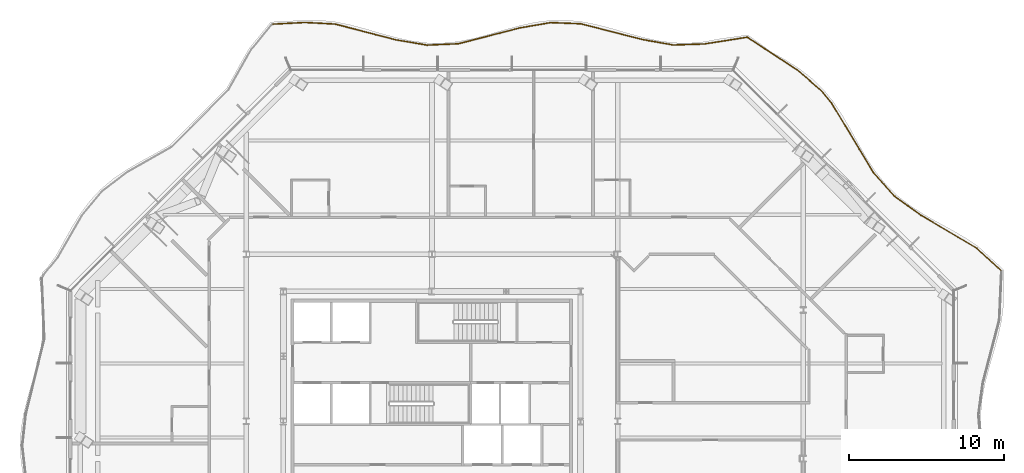
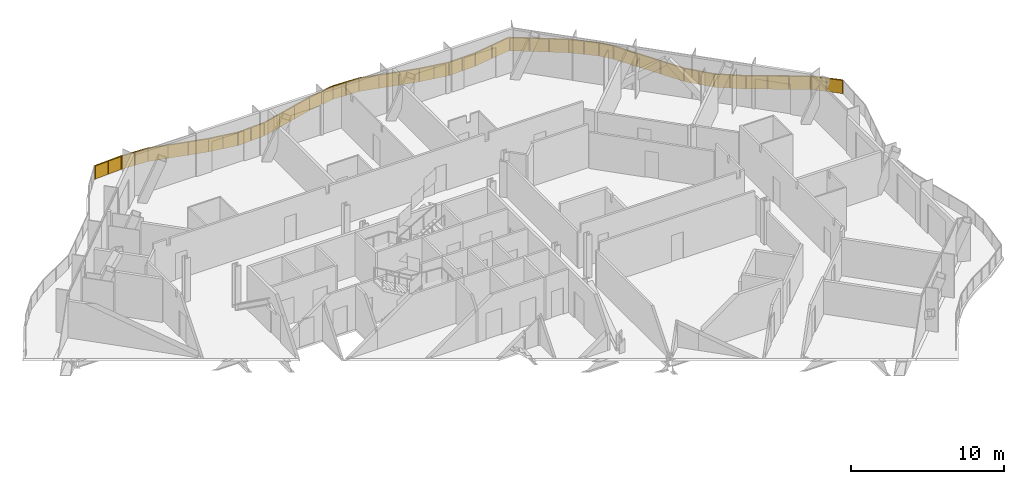
# One storey, part 19 of 19: 2 railings.
"""IFC4 building model written with IfcOpenShell, lengths in metres."""

from ifc_helpers import new_model, si_unit, direction, frame, origin, origin_2d, place, context, subcontext, project, spatial, polyline, rectangle, outline, extrude, material, type_object, element, save


model = new_model("IFC4")

# Units and contexts
model_context = context("Model", 3, precision=1e-05, world=origin(), true_north=direction((0.0, 1.0)))
body_context = subcontext(model_context, "Body", "Model", "MODEL_VIEW")
ifc_project = project(units=[si_unit("LENGTHUNIT", "METRE"), si_unit("AREAUNIT", "SQUARE_METRE"), si_unit("VOLUMEUNIT", "CUBIC_METRE"), si_unit("PLANEANGLEUNIT", "RADIAN"), si_unit("MASSUNIT", "GRAM", prefix="KILO")], contexts=[model_context])

# Site, building, storey
site_placement = place(None, origin())
site = spatial("IfcSite", under=ifc_project, at=site_placement, CompositionType="ELEMENT")
building_placement = place(site_placement, origin())
building = spatial("IfcBuilding", under=site, at=building_placement, Name="Cairn Pilgrim Tower", CompositionType="ELEMENT")
storey_placement = place(building_placement, frame((0.0, 0.0, 190.199951171875)))
storey = spatial("IfcBuildingStorey", under=building, at=storey_placement, Name="L48", CompositionType="ELEMENT", Elevation=190.199951171875)

# Railings
ifc_material = material(Name="Bronze anodised aluminium rail and posts with laminated glass infill", Category="aluminium")
railing_type = type_object("IfcRailingType", Name="BALCONY GUARD 1100", PredefinedType="GUARDRAIL", material=ifc_material)
railing_1_placement = place(storey_placement, frame((44.014404296875, 12.126220703125, 0.0)))
element("IfcRailing", 1, at=railing_1_placement, inside=storey, type_object=railing_type, Name="Balcony guard BG-6", PredefinedType="GUARDRAIL", context=body_context, shape_type="SweptSolid", body=[
    extrude(rectangle(XDim=0.050048828125, YDim=0.050048828125, at=origin_2d()), frame((0.0, 0.0, 1.0751953125), z_axis=(-0.737797082339, 0.675022566506, 0.0), x_axis=(-0.675022566506, -0.737797082339, 0.0)), (0.0, 0.0, 1.0), 2.174072265625),
    extrude(rectangle(XDim=0.050048828125, YDim=0.050048828125, at=origin_2d()), frame((-1.60400390625, 1.467529296875, 1.0751953125), z_axis=(-0.861004110592, 0.508597996008, 0.0), x_axis=(-0.508597996008, -0.861004110592, 0.0)), (0.0, 0.0, 1.0), 4.19677734375),
    extrude(rectangle(XDim=0.050048828125, YDim=0.050048828125, at=origin_2d()), frame((-5.217529296875, 3.60205078125, 1.0751953125), z_axis=(-0.810861253353, 0.585238436718, 0.0), x_axis=(-0.585238436718, -0.810861253353, 0.0)), (0.0, 0.0, 1.0), 2.086181640625),
    extrude(rectangle(XDim=0.050048828125, YDim=0.050048828125, at=origin_2d()), frame((-6.9091796875, 4.822998046875, 1.0751953125), z_axis=(-0.665746206682, 0.746178255036, 0.0), x_axis=(-0.746178255036, -0.665746206682, 0.0)), (0.0, 0.0, 1.0), 2.070068359375),
    extrude(rectangle(XDim=0.050048828125, YDim=0.050048828125, at=origin_2d()), frame((-8.287353515625, 6.36767578125, 1.0751953125), z_axis=(-0.516273335078, 0.856423869055, 0.0), x_axis=(-0.856423869055, -0.516273335078, 0.0)), (0.0, 0.0, 1.0), 5.248046875),
    extrude(rectangle(XDim=0.050048828125, YDim=0.050048828125, at=origin_2d()), frame((-10.996826171875, 10.8623046875, 1.0751953125), z_axis=(-0.634713373354, 0.772747652009, 0.0), x_axis=(-0.772747652009, -0.634713373354, 0.0)), (0.0, 0.0, 1.0), 0.999267578125),
    extrude(rectangle(XDim=0.050048828125, YDim=0.050048828125, at=origin_2d()), frame((-11.631103515625, 11.634521484375, 1.0751953125), z_axis=(-0.756784950491, 0.653663934075, 0.0), x_axis=(-0.653663934075, -0.756784950491, 0.0)), (0.0, 0.0, 1.0), 2.01953125),
    extrude(rectangle(XDim=0.050048828125, YDim=0.050048828125, at=origin_2d()), frame((-13.159423828125, 12.95458984375, 1.0751953125), z_axis=(-0.835542609382, 0.549425652757, 0.0), x_axis=(-0.549425652757, -0.835542609382, 0.0)), (0.0, 0.0, 1.0), 3.853515625),
    extrude(rectangle(XDim=0.050048828125, YDim=0.050048828125, at=origin_2d()), origin(), (0.0, 0.0, 1.0), 1.050048828125),
    extrude(rectangle(XDim=0.050048828125, YDim=0.050048828125, at=origin_2d()), frame((-0.802001953125, 0.73388671875, 0.0)), (0.0, 0.0, 1.0), 1.050048828125),
    extrude(rectangle(XDim=0.050048828125, YDim=0.050048828125, at=origin_2d()), frame((-1.60400390625, 1.467529296875, 0.0)), (0.0, 0.0, 1.0), 1.050048828125),
    extrude(rectangle(XDim=0.050048828125, YDim=0.050048828125, at=origin_2d()), frame((-2.80859375, 2.178955078125, 0.0)), (0.0, 0.0, 1.0), 1.050048828125),
    extrude(rectangle(XDim=0.050048828125, YDim=0.050048828125, at=origin_2d()), frame((-4.012939453125, 2.890625, 0.0)), (0.0, 0.0, 1.0), 1.050048828125),
    extrude(rectangle(XDim=0.050048828125, YDim=0.050048828125, at=origin_2d()), frame((-5.217529296875, 3.60205078125, 0.0)), (0.0, 0.0, 1.0), 1.050048828125),
    extrude(rectangle(XDim=0.050048828125, YDim=0.050048828125, at=origin_2d()), frame((-6.0634765625, 4.21240234375, 0.0)), (0.0, 0.0, 1.0), 1.050048828125),
    extrude(rectangle(XDim=0.050048828125, YDim=0.050048828125, at=origin_2d()), frame((-6.9091796875, 4.822998046875, 0.0)), (0.0, 0.0, 1.0), 1.050048828125),
    extrude(rectangle(XDim=0.050048828125, YDim=0.050048828125, at=origin_2d()), frame((-7.59814453125, 5.59521484375, 0.0)), (0.0, 0.0, 1.0), 1.050048828125),
    extrude(rectangle(XDim=0.050048828125, YDim=0.050048828125, at=origin_2d()), frame((-8.287353515625, 6.36767578125, 0.0)), (0.0, 0.0, 1.0), 1.050048828125),
    extrude(rectangle(XDim=0.050048828125, YDim=0.050048828125, at=origin_2d()), frame((-9.1904296875, 7.865966796875, 0.0)), (0.0, 0.0, 1.0), 1.050048828125),
    extrude(rectangle(XDim=0.050048828125, YDim=0.050048828125, at=origin_2d()), frame((-10.09375, 9.364013671875, 0.0)), (0.0, 0.0, 1.0), 1.050048828125),
    extrude(rectangle(XDim=0.050048828125, YDim=0.050048828125, at=origin_2d()), frame((-10.996826171875, 10.8623046875, 0.0)), (0.0, 0.0, 1.0), 1.050048828125),
    extrude(rectangle(XDim=0.050048828125, YDim=0.050048828125, at=origin_2d()), frame((-11.631103515625, 11.634521484375, 0.0)), (0.0, 0.0, 1.0), 1.050048828125),
    extrude(rectangle(XDim=0.050048828125, YDim=0.050048828125, at=origin_2d()), frame((-12.395263671875, 12.29443359375, 0.0)), (0.0, 0.0, 1.0), 1.050048828125),
    extrude(rectangle(XDim=0.050048828125, YDim=0.050048828125, at=origin_2d()), frame((-13.159423828125, 12.95458984375, 0.0)), (0.0, 0.0, 1.0), 1.050048828125),
    extrude(rectangle(XDim=0.050048828125, YDim=0.050048828125, at=origin_2d()), frame((-14.232666015625, 13.660400390625, 0.0)), (0.0, 0.0, 1.0), 1.050048828125),
    extrude(rectangle(XDim=0.050048828125, YDim=0.050048828125, at=origin_2d()), frame((-15.305908203125, 14.365966796875, 0.0)), (0.0, 0.0, 1.0), 1.050048828125),
    extrude(rectangle(XDim=0.050048828125, YDim=0.050048828125, at=origin_2d()), frame((-16.379150390625, 15.07177734375, 0.0)), (0.0, 0.0, 1.0), 1.050048828125),
    extrude(outline(polyline([(0.02490234375, 0.0), (1.06201171875, 0.0), (1.06201171875, 1.050048828125), (0.02490234375, 1.050048828125), (0.02490234375, 0.0)])), frame((-0.004150390625, -0.00439453125, 0.0), z_axis=(0.675022566506, 0.737797082339, 0.0), x_axis=(-0.737797082339, 0.675022566506, 0.0)), (0.0, 0.0, 1.0), 0.011962890625),
    extrude(outline(polyline([(0.02490234375, 0.0), (1.06201171875, 0.0), (1.06201171875, 1.050048828125), (0.02490234375, 1.050048828125), (0.02490234375, 0.0)])), frame((-0.80615234375, 0.729248046875, 0.0), z_axis=(0.675022566506, 0.737797082339, 0.0), x_axis=(-0.737797082339, 0.675022566506, 0.0)), (0.0, 0.0, 1.0), 0.011962890625),
    extrude(outline(polyline([(0.02490234375, 0.0), (1.3740234375, 0.0), (1.3740234375, 1.050048828125), (0.02490234375, 1.050048828125), (0.02490234375, 0.0)])), frame((-1.60693359375, 1.46240234375, 0.0), z_axis=(0.508597996008, 0.861004110592, 0.0), x_axis=(-0.861004110592, 0.508597996008, 0.0)), (0.0, 0.0, 1.0), 0.011962890625),
    extrude(outline(polyline([(0.02490234375, 0.0), (1.3740234375, 0.0), (1.3740234375, 1.050048828125), (0.02490234375, 1.050048828125), (0.02490234375, 0.0)])), frame((-2.8115234375, 2.173828125, 0.0), z_axis=(0.508597996008, 0.861004110592, 0.0), x_axis=(-0.861004110592, 0.508597996008, 0.0)), (0.0, 0.0, 1.0), 0.011962890625),
    extrude(outline(polyline([(0.02490234375, 0.0), (1.3740234375, 0.0), (1.3740234375, 1.050048828125), (0.02490234375, 1.050048828125), (0.02490234375, 0.0)])), frame((-4.01611328125, 2.885498046875, 0.0), z_axis=(0.508597996008, 0.861004110592, 0.0), x_axis=(-0.861004110592, 0.508597996008, 0.0)), (0.0, 0.0, 1.0), 0.011962890625),
    extrude(outline(polyline([(0.02490234375, 0.0), (1.01806640625, 0.0), (1.01806640625, 1.050048828125), (0.02490234375, 1.050048828125), (0.02490234375, 0.0)])), frame((-5.220947265625, 3.59716796875, 0.0), z_axis=(0.585238436718, 0.810861253353, 0.0), x_axis=(-0.810861253353, 0.585238436718, 0.0)), (0.0, 0.0, 1.0), 0.011962890625),
    extrude(outline(polyline([(0.02490234375, 0.0), (1.01806640625, 0.0), (1.01806640625, 1.050048828125), (0.02490234375, 1.050048828125), (0.02490234375, 0.0)])), frame((-6.06689453125, 4.207763671875, 0.0), z_axis=(0.585238436718, 0.810861253353, 0.0), x_axis=(-0.810861253353, 0.585238436718, 0.0)), (0.0, 0.0, 1.0), 0.011962890625),
    extrude(outline(polyline([(0.02490234375, 0.0), (1.010009765625, 0.0), (1.010009765625, 1.050048828125), (0.02490234375, 1.050048828125), (0.02490234375, 0.0)])), frame((-6.91357421875, 4.819091796875, 0.0), z_axis=(0.746178255036, 0.665746206682, 0.0), x_axis=(-0.665746206682, 0.746178255036, 0.0)), (0.0, 0.0, 1.0), 0.011962890625),
    extrude(outline(polyline([(0.02490234375, 0.0), (1.010009765625, 0.0), (1.010009765625, 1.050048828125), (0.02490234375, 1.050048828125), (0.02490234375, 0.0)])), frame((-7.602783203125, 5.59130859375, 0.0), z_axis=(0.746178255036, 0.665746206682, 0.0), x_axis=(-0.665746206682, 0.746178255036, 0.0)), (0.0, 0.0, 1.0), 0.011962890625),
    extrude(outline(polyline([(0.02490234375, 0.0), (1.724365234375, 0.0), (1.724365234375, 1.050048828125), (0.02490234375, 1.050048828125), (0.02490234375, 0.0)])), frame((-8.29248046875, 6.364501953125, 0.0), z_axis=(0.856423869055, 0.516273335078, 0.0), x_axis=(-0.516273335078, 0.856423869055, 0.0)), (0.0, 0.0, 1.0), 0.011962890625),
    extrude(outline(polyline([(0.02490234375, 0.0), (1.724365234375, 0.0), (1.724365234375, 1.050048828125), (0.02490234375, 1.050048828125), (0.02490234375, 0.0)])), frame((-9.195556640625, 7.86279296875, 0.0), z_axis=(0.856423869055, 0.516273335078, 0.0), x_axis=(-0.516273335078, 0.856423869055, 0.0)), (0.0, 0.0, 1.0), 0.011962890625),
    extrude(outline(polyline([(0.02490234375, 0.0), (1.724365234375, 0.0), (1.724365234375, 1.050048828125), (0.02490234375, 1.050048828125), (0.02490234375, 0.0)])), frame((-10.098876953125, 9.361083984375, 0.0), z_axis=(0.856423869055, 0.516273335078, 0.0), x_axis=(-0.516273335078, 0.856423869055, 0.0)), (0.0, 0.0, 1.0), 0.011962890625),
    extrude(outline(polyline([(0.02490234375, 0.0), (0.974365234375, 0.0), (0.974365234375, 1.050048828125), (0.02490234375, 1.050048828125), (0.02490234375, 0.0)])), frame((-11.00146484375, 10.8583984375, 0.0), z_axis=(0.772747652009, 0.634713373354, 0.0), x_axis=(-0.634713373354, 0.772747652009, 0.0)), (0.0, 0.0, 1.0), 0.011962890625),
    extrude(outline(polyline([(0.02490234375, 0.0), (0.984619140625, 0.0), (0.984619140625, 1.050048828125), (0.02490234375, 1.050048828125), (0.02490234375, 0.0)])), frame((-11.635009765625, 11.6298828125, 0.0), z_axis=(0.653663934075, 0.756784950491, 0.0), x_axis=(-0.756784950491, 0.653663934075, 0.0)), (0.0, 0.0, 1.0), 0.011962890625),
    extrude(outline(polyline([(0.02490234375, 0.0), (0.984619140625, 0.0), (0.984619140625, 1.050048828125), (0.02490234375, 1.050048828125), (0.02490234375, 0.0)])), frame((-12.399169921875, 12.2900390625, 0.0), z_axis=(0.653663934075, 0.756784950491, 0.0), x_axis=(-0.756784950491, 0.653663934075, 0.0)), (0.0, 0.0, 1.0), 0.011962890625),
    extrude(outline(polyline([(0.02490234375, 0.0), (1.259521484375, 0.0), (1.259521484375, 1.050048828125), (0.02490234375, 1.050048828125), (0.02490234375, 0.0)])), frame((-13.16259765625, 12.94970703125, 0.0), z_axis=(0.549425652757, 0.835542609382, 0.0), x_axis=(-0.835542609382, 0.549425652757, 0.0)), (0.0, 0.0, 1.0), 0.011962890625),
    extrude(outline(polyline([(0.02490234375, 0.0), (1.259521484375, 0.0), (1.259521484375, 1.050048828125), (0.02490234375, 1.050048828125), (0.02490234375, 0.0)])), frame((-14.23583984375, 13.6552734375, 0.0), z_axis=(0.549425652757, 0.835542609382, 0.0), x_axis=(-0.835542609382, 0.549425652757, 0.0)), (0.0, 0.0, 1.0), 0.011962890625),
    extrude(outline(polyline([(0.02490234375, 0.0), (1.259521484375, 0.0), (1.259521484375, 1.050048828125), (0.02490234375, 1.050048828125), (0.02490234375, 0.0)])), frame((-15.30908203125, 14.361083984375, 0.0), z_axis=(0.549425652757, 0.835542609382, 0.0), x_axis=(-0.835542609382, 0.549425652757, 0.0)), (0.0, 0.0, 1.0), 0.011962890625),
])
railing_2_placement = place(storey_placement, frame((27.585205078125, 27.23095703125, 0.0)))
element("IfcRailing", 2, at=railing_2_placement, inside=storey, type_object=railing_type, Name="Balcony guard BG-7", PredefinedType="GUARDRAIL", context=body_context, shape_type="SweptSolid", body=[
    extrude(rectangle(XDim=0.050048828125, YDim=0.050048828125, at=origin_2d()), frame((0.0, 0.0, 1.0751953125), z_axis=(-0.987874466495, -0.155254753378, 0.0), x_axis=(0.155254753378, -0.987874466495, 0.0)), (0.0, 0.0, 1.0), 2.81640625),
    extrude(rectangle(XDim=0.050048828125, YDim=0.050048828125, at=origin_2d()), frame((-2.7822265625, -0.437255859375, 1.0751953125), z_axis=(-0.999463333803, -0.03275735617, 0.0), x_axis=(0.03275735617, -0.999463333803, 0.0)), (0.0, 0.0, 1.0), 2.01220703125),
    extrude(rectangle(XDim=0.050048828125, YDim=0.050048828125, at=origin_2d()), frame((-4.79345703125, -0.503173828125, 1.0751953125), z_axis=(-0.984634893554, 0.174625675076, 0.0), x_axis=(-0.174625675076, -0.984634893554, 0.0)), (0.0, 0.0, 1.0), 2.038330078125),
    extrude(rectangle(XDim=0.050048828125, YDim=0.050048828125, at=origin_2d()), frame((-6.800537109375, -0.147216796875, 1.0751953125), z_axis=(-0.968685954095, 0.248289190945, 0.0), x_axis=(-0.248289190945, -0.968685954095, 0.0)), (0.0, 0.0, 1.0), 4.090576171875),
    extrude(rectangle(XDim=0.050048828125, YDim=0.050048828125, at=origin_2d()), frame((-10.762939453125, 0.868408203125, 1.0751953125), z_axis=(-0.999241503317, 0.03894121272, 0.0), x_axis=(-0.03894121272, -0.999241503317, 0.0)), (0.0, 0.0, 1.0), 1.9560546875),
    extrude(rectangle(XDim=0.050048828125, YDim=0.050048828125, at=origin_2d()), frame((-12.717529296875, 0.944580078125, 1.0751953125), z_axis=(-0.985468599326, -0.169857704395, 0.0), x_axis=(0.169857704395, -0.985468599326, 0.0)), (0.0, 0.0, 1.0), 1.99365234375),
    extrude(rectangle(XDim=0.050048828125, YDim=0.050048828125, at=origin_2d()), frame((-14.68212890625, 0.60595703125, 1.0751953125), z_axis=(-0.968345872531, -0.249612241592, 0.0), x_axis=(0.249612241592, -0.968345872531, 0.0)), (0.0, 0.0, 1.0), 4.11181640625),
    extrude(rectangle(XDim=0.050048828125, YDim=0.050048828125, at=origin_2d()), frame((-18.663818359375, -0.42041015625, 1.0751953125), z_axis=(-0.99898294578, -0.045089622311, 0.0), x_axis=(0.045089622311, -0.99898294578, 0.0)), (0.0, 0.0, 1.0), 2.01953125),
    extrude(rectangle(XDim=0.050048828125, YDim=0.050048828125, at=origin_2d()), frame((-20.681396484375, -0.511474609375, 1.0751953125), z_axis=(-0.986277018445, 0.165098888208, 0.0), x_axis=(-0.165098888208, -0.986277018445, 0.0)), (0.0, 0.0, 1.0), 2.0361328125),
    extrude(rectangle(XDim=0.050048828125, YDim=0.050048828125, at=origin_2d()), frame((-22.689697265625, -0.17529296875, 1.0751953125), z_axis=(-0.968034436601, 0.250817323076, 0.0), x_axis=(-0.250817323076, -0.968034436601, 0.0)), (0.0, 0.0, 1.0), 4.094970703125),
    extrude(rectangle(XDim=0.050048828125, YDim=0.050048828125, at=origin_2d()), frame((-26.65380859375, 0.851806640625, 1.0751953125), z_axis=(-0.998689942875, 0.051170284351, 0.0), x_axis=(-0.051170284351, -0.998689942875, 0.0)), (0.0, 0.0, 1.0), 1.9658203125),
    extrude(rectangle(XDim=0.050048828125, YDim=0.050048828125, at=origin_2d()), frame((-28.616943359375, 0.952392578125, 1.0751953125), z_axis=(-0.998620787643, -0.052502595058, 0.0), x_axis=(0.052502595058, -0.998620787643, 0.0)), (0.0, 0.0, 1.0), 2.05078125),
    extrude(rectangle(XDim=0.050048828125, YDim=0.050048828125, at=origin_2d()), origin(), (0.0, 0.0, 1.0), 1.050048828125),
    extrude(rectangle(XDim=0.050048828125, YDim=0.050048828125, at=origin_2d()), frame((-1.39111328125, -0.21875, 0.0)), (0.0, 0.0, 1.0), 1.050048828125),
    extrude(rectangle(XDim=0.050048828125, YDim=0.050048828125, at=origin_2d()), frame((-2.7822265625, -0.437255859375, 0.0)), (0.0, 0.0, 1.0), 1.050048828125),
    extrude(rectangle(XDim=0.050048828125, YDim=0.050048828125, at=origin_2d()), frame((-3.787841796875, -0.47021484375, 0.0)), (0.0, 0.0, 1.0), 1.050048828125),
    extrude(rectangle(XDim=0.050048828125, YDim=0.050048828125, at=origin_2d()), frame((-4.79345703125, -0.503173828125, 0.0)), (0.0, 0.0, 1.0), 1.050048828125),
    extrude(rectangle(XDim=0.050048828125, YDim=0.050048828125, at=origin_2d()), frame((-5.796875, -0.3251953125, 0.0)), (0.0, 0.0, 1.0), 1.050048828125),
    extrude(rectangle(XDim=0.050048828125, YDim=0.050048828125, at=origin_2d()), frame((-6.800537109375, -0.147216796875, 0.0)), (0.0, 0.0, 1.0), 1.050048828125),
    extrude(rectangle(XDim=0.050048828125, YDim=0.050048828125, at=origin_2d()), frame((-8.121337890625, 0.19140625, 0.0)), (0.0, 0.0, 1.0), 1.050048828125),
    extrude(rectangle(XDim=0.050048828125, YDim=0.050048828125, at=origin_2d()), frame((-9.442138671875, 0.52978515625, 0.0)), (0.0, 0.0, 1.0), 1.050048828125),
    extrude(rectangle(XDim=0.050048828125, YDim=0.050048828125, at=origin_2d()), frame((-10.762939453125, 0.868408203125, 0.0)), (0.0, 0.0, 1.0), 1.050048828125),
    extrude(rectangle(XDim=0.050048828125, YDim=0.050048828125, at=origin_2d()), frame((-11.740234375, 0.906494140625, 0.0)), (0.0, 0.0, 1.0), 1.050048828125),
    extrude(rectangle(XDim=0.050048828125, YDim=0.050048828125, at=origin_2d()), frame((-12.717529296875, 0.944580078125, 0.0)), (0.0, 0.0, 1.0), 1.050048828125),
    extrude(rectangle(XDim=0.050048828125, YDim=0.050048828125, at=origin_2d()), frame((-13.69970703125, 0.775390625, 0.0)), (0.0, 0.0, 1.0), 1.050048828125),
    extrude(rectangle(XDim=0.050048828125, YDim=0.050048828125, at=origin_2d()), frame((-14.68212890625, 0.60595703125, 0.0)), (0.0, 0.0, 1.0), 1.050048828125),
    extrude(rectangle(XDim=0.050048828125, YDim=0.050048828125, at=origin_2d()), frame((-16.00927734375, 0.263916015625, 0.0)), (0.0, 0.0, 1.0), 1.050048828125),
    extrude(rectangle(XDim=0.050048828125, YDim=0.050048828125, at=origin_2d()), frame((-17.336669921875, -0.078369140625, 0.0)), (0.0, 0.0, 1.0), 1.050048828125),
    extrude(rectangle(XDim=0.050048828125, YDim=0.050048828125, at=origin_2d()), frame((-18.663818359375, -0.42041015625, 0.0)), (0.0, 0.0, 1.0), 1.050048828125),
    extrude(rectangle(XDim=0.050048828125, YDim=0.050048828125, at=origin_2d()), frame((-19.672607421875, -0.4658203125, 0.0)), (0.0, 0.0, 1.0), 1.050048828125),
    extrude(rectangle(XDim=0.050048828125, YDim=0.050048828125, at=origin_2d()), frame((-20.681396484375, -0.511474609375, 0.0)), (0.0, 0.0, 1.0), 1.050048828125),
    extrude(rectangle(XDim=0.050048828125, YDim=0.050048828125, at=origin_2d()), frame((-21.685546875, -0.34326171875, 0.0)), (0.0, 0.0, 1.0), 1.050048828125),
    extrude(rectangle(XDim=0.050048828125, YDim=0.050048828125, at=origin_2d()), frame((-22.689697265625, -0.17529296875, 0.0)), (0.0, 0.0, 1.0), 1.050048828125),
    extrude(rectangle(XDim=0.050048828125, YDim=0.050048828125, at=origin_2d()), frame((-24.010986328125, 0.1669921875, 0.0)), (0.0, 0.0, 1.0), 1.050048828125),
    extrude(rectangle(XDim=0.050048828125, YDim=0.050048828125, at=origin_2d()), frame((-25.33251953125, 0.509521484375, 0.0)), (0.0, 0.0, 1.0), 1.050048828125),
    extrude(rectangle(XDim=0.050048828125, YDim=0.050048828125, at=origin_2d()), frame((-26.65380859375, 0.851806640625, 0.0)), (0.0, 0.0, 1.0), 1.050048828125),
    extrude(rectangle(XDim=0.050048828125, YDim=0.050048828125, at=origin_2d()), frame((-27.63525390625, 0.902099609375, 0.0)), (0.0, 0.0, 1.0), 1.050048828125),
    extrude(rectangle(XDim=0.050048828125, YDim=0.050048828125, at=origin_2d()), frame((-28.616943359375, 0.952392578125, 0.0)), (0.0, 0.0, 1.0), 1.050048828125),
    extrude(rectangle(XDim=0.050048828125, YDim=0.050048828125, at=origin_2d()), frame((-29.640869140625, 0.8984375, 0.0)), (0.0, 0.0, 1.0), 1.050048828125),
    extrude(rectangle(XDim=0.050048828125, YDim=0.050048828125, at=origin_2d()), frame((-30.664794921875, 0.8447265625, 0.0)), (0.0, 0.0, 1.0), 1.050048828125),
    extrude(outline(polyline([(0.02490234375, 0.0), (1.383056640625, 0.0), (1.383056640625, 1.050048828125), (0.02490234375, 1.050048828125), (0.02490234375, 0.0)])), frame((0.0009765625, -0.005859375, 0.0), z_axis=(-0.155254753378, 0.987874466495, 0.0), x_axis=(-0.987874466495, -0.155254753378, 0.0)), (0.0, 0.0, 1.0), 0.011962890625),
    extrude(outline(polyline([(0.02490234375, 0.0), (1.383056640625, 0.0), (1.383056640625, 1.050048828125), (0.02490234375, 1.050048828125), (0.02490234375, 0.0)])), frame((-1.39013671875, -0.224609375, 0.0), z_axis=(-0.155254753378, 0.987874466495, 0.0), x_axis=(-0.987874466495, -0.155254753378, 0.0)), (0.0, 0.0, 1.0), 0.011962890625),
    extrude(outline(polyline([(0.02490234375, 0.0), (0.981201171875, 0.0), (0.981201171875, 1.050048828125), (0.02490234375, 1.050048828125), (0.02490234375, 0.0)])), frame((-2.781982421875, -0.443115234375, 0.0), z_axis=(-0.03275735617, 0.999463333803, 0.0), x_axis=(-0.999463333803, -0.03275735617, 0.0)), (0.0, 0.0, 1.0), 0.011962890625),
    extrude(outline(polyline([(0.02490234375, 0.0), (0.981201171875, 0.0), (0.981201171875, 1.050048828125), (0.02490234375, 1.050048828125), (0.02490234375, 0.0)])), frame((-3.78759765625, -0.47607421875, 0.0), z_axis=(-0.03275735617, 0.999463333803, 0.0), x_axis=(-0.999463333803, -0.03275735617, 0.0)), (0.0, 0.0, 1.0), 0.011962890625),
    extrude(outline(polyline([(0.02490234375, 0.0), (0.994140625, 0.0), (0.994140625, 1.050048828125), (0.02490234375, 1.050048828125), (0.02490234375, 0.0)])), frame((-4.79443359375, -0.509033203125, 0.0), z_axis=(0.174625675076, 0.984634893554, 0.0), x_axis=(-0.984634893554, 0.174625675076, 0.0)), (0.0, 0.0, 1.0), 0.011962890625),
    extrude(outline(polyline([(0.02490234375, 0.0), (0.994140625, 0.0), (0.994140625, 1.050048828125), (0.02490234375, 1.050048828125), (0.02490234375, 0.0)])), frame((-5.798095703125, -0.3310546875, 0.0), z_axis=(0.174625675076, 0.984634893554, 0.0), x_axis=(-0.984634893554, 0.174625675076, 0.0)), (0.0, 0.0, 1.0), 0.011962890625),
    extrude(outline(polyline([(0.02490234375, 0.0), (1.33837890625, 0.0), (1.33837890625, 1.050048828125), (0.02490234375, 1.050048828125), (0.02490234375, 0.0)])), frame((-6.802001953125, -0.153076171875, 0.0), z_axis=(0.248289190945, 0.968685954095, 0.0), x_axis=(-0.968685954095, 0.248289190945, 0.0)), (0.0, 0.0, 1.0), 0.011962890625),
    extrude(outline(polyline([(0.02490234375, 0.0), (1.33837890625, 0.0), (1.33837890625, 1.050048828125), (0.02490234375, 1.050048828125), (0.02490234375, 0.0)])), frame((-8.122802734375, 0.185546875, 0.0), z_axis=(0.248289190945, 0.968685954095, 0.0), x_axis=(-0.968685954095, 0.248289190945, 0.0)), (0.0, 0.0, 1.0), 0.011962890625),
    extrude(outline(polyline([(0.02490234375, 0.0), (1.33837890625, 0.0), (1.33837890625, 1.050048828125), (0.02490234375, 1.050048828125), (0.02490234375, 0.0)])), frame((-9.443603515625, 0.524169921875, 0.0), z_axis=(0.248289190945, 0.968685954095, 0.0), x_axis=(-0.968685954095, 0.248289190945, 0.0)), (0.0, 0.0, 1.0), 0.011962890625),
    extrude(outline(polyline([(0.02490234375, 0.0), (0.953125, 0.0), (0.953125, 1.050048828125), (0.02490234375, 1.050048828125), (0.02490234375, 0.0)])), frame((-10.76318359375, 0.862548828125, 0.0), z_axis=(0.03894121272, 0.999241503317, 0.0), x_axis=(-0.999241503317, 0.03894121272, 0.0)), (0.0, 0.0, 1.0), 0.011962890625),
    extrude(outline(polyline([(0.02490234375, 0.0), (0.953125, 0.0), (0.953125, 1.050048828125), (0.02490234375, 1.050048828125), (0.02490234375, 0.0)])), frame((-11.740478515625, 0.900634765625, 0.0), z_axis=(0.03894121272, 0.999241503317, 0.0), x_axis=(-0.999241503317, 0.03894121272, 0.0)), (0.0, 0.0, 1.0), 0.011962890625),
    extrude(outline(polyline([(0.02490234375, 0.0), (0.9716796875, 0.0), (0.9716796875, 1.050048828125), (0.02490234375, 1.050048828125), (0.02490234375, 0.0)])), frame((-12.716552734375, 0.938720703125, 0.0), z_axis=(-0.169857704395, 0.985468599326, 0.0), x_axis=(-0.985468599326, -0.169857704395, 0.0)), (0.0, 0.0, 1.0), 0.011962890625),
    extrude(outline(polyline([(0.02490234375, 0.0), (0.9716796875, 0.0), (0.9716796875, 1.050048828125), (0.02490234375, 1.050048828125), (0.02490234375, 0.0)])), frame((-13.69873046875, 0.769287109375, 0.0), z_axis=(-0.169857704395, 0.985468599326, 0.0), x_axis=(-0.985468599326, -0.169857704395, 0.0)), (0.0, 0.0, 1.0), 0.011962890625),
    extrude(outline(polyline([(0.02490234375, 0.0), (1.345703125, 0.0), (1.345703125, 1.050048828125), (0.02490234375, 1.050048828125), (0.02490234375, 0.0)])), frame((-14.6806640625, 0.60009765625, 0.0), z_axis=(-0.249612241592, 0.968345872531, 0.0), x_axis=(-0.968345872531, -0.249612241592, 0.0)), (0.0, 0.0, 1.0), 0.011962890625),
    extrude(outline(polyline([(0.02490234375, 0.0), (1.345703125, 0.0), (1.345703125, 1.050048828125), (0.02490234375, 1.050048828125), (0.02490234375, 0.0)])), frame((-16.0078125, 0.258056640625, 0.0), z_axis=(-0.249612241592, 0.968345872531, 0.0), x_axis=(-0.968345872531, -0.249612241592, 0.0)), (0.0, 0.0, 1.0), 0.011962890625),
    extrude(outline(polyline([(0.02490234375, 0.0), (1.345703125, 0.0), (1.345703125, 1.050048828125), (0.02490234375, 1.050048828125), (0.02490234375, 0.0)])), frame((-17.335205078125, -0.083984375, 0.0), z_axis=(-0.249612241592, 0.968345872531, 0.0), x_axis=(-0.968345872531, -0.249612241592, 0.0)), (0.0, 0.0, 1.0), 0.011962890625),
    extrude(outline(polyline([(0.02490234375, 0.0), (0.98486328125, 0.0), (0.98486328125, 1.050048828125), (0.02490234375, 1.050048828125), (0.02490234375, 0.0)])), frame((-18.66357421875, -0.42626953125, 0.0), z_axis=(-0.045089622311, 0.99898294578, 0.0), x_axis=(-0.99898294578, -0.045089622311, 0.0)), (0.0, 0.0, 1.0), 0.011962890625),
    extrude(outline(polyline([(0.02490234375, 0.0), (0.98486328125, 0.0), (0.98486328125, 1.050048828125), (0.02490234375, 1.050048828125), (0.02490234375, 0.0)])), frame((-19.67236328125, -0.471923828125, 0.0), z_axis=(-0.045089622311, 0.99898294578, 0.0), x_axis=(-0.99898294578, -0.045089622311, 0.0)), (0.0, 0.0, 1.0), 0.011962890625),
    extrude(outline(polyline([(0.02490234375, 0.0), (0.9931640625, 0.0), (0.9931640625, 1.050048828125), (0.02490234375, 1.050048828125), (0.02490234375, 0.0)])), frame((-20.682373046875, -0.517333984375, 0.0), z_axis=(0.165098888208, 0.986277018445, 0.0), x_axis=(-0.986277018445, 0.165098888208, 0.0)), (0.0, 0.0, 1.0), 0.011962890625),
    extrude(outline(polyline([(0.02490234375, 0.0), (0.9931640625, 0.0), (0.9931640625, 1.050048828125), (0.02490234375, 1.050048828125), (0.02490234375, 0.0)])), frame((-21.6865234375, -0.349365234375, 0.0), z_axis=(0.165098888208, 0.986277018445, 0.0), x_axis=(-0.986277018445, 0.165098888208, 0.0)), (0.0, 0.0, 1.0), 0.011962890625),
    extrude(outline(polyline([(0.02490234375, 0.0), (1.340087890625, 0.0), (1.340087890625, 1.050048828125), (0.02490234375, 1.050048828125), (0.02490234375, 0.0)])), frame((-22.691162109375, -0.18115234375, 0.0), z_axis=(0.250817323076, 0.968034436601, 0.0), x_axis=(-0.968034436601, 0.250817323076, 0.0)), (0.0, 0.0, 1.0), 0.011962890625),
    extrude(outline(polyline([(0.02490234375, 0.0), (1.340087890625, 0.0), (1.340087890625, 1.050048828125), (0.02490234375, 1.050048828125), (0.02490234375, 0.0)])), frame((-24.012451171875, 0.161376953125, 0.0), z_axis=(0.250817323076, 0.968034436601, 0.0), x_axis=(-0.968034436601, 0.250817323076, 0.0)), (0.0, 0.0, 1.0), 0.011962890625),
    extrude(outline(polyline([(0.02490234375, 0.0), (1.340087890625, 0.0), (1.340087890625, 1.050048828125), (0.02490234375, 1.050048828125), (0.02490234375, 0.0)])), frame((-25.333984375, 0.503662109375, 0.0), z_axis=(0.250817323076, 0.968034436601, 0.0), x_axis=(-0.968034436601, 0.250817323076, 0.0)), (0.0, 0.0, 1.0), 0.011962890625),
    extrude(outline(polyline([(0.02490234375, 0.0), (0.957763671875, 0.0), (0.957763671875, 1.050048828125), (0.02490234375, 1.050048828125), (0.02490234375, 0.0)])), frame((-26.654052734375, 0.845947265625, 0.0), z_axis=(0.051170284351, 0.998689942875, 0.0), x_axis=(-0.998689942875, 0.051170284351, 0.0)), (0.0, 0.0, 1.0), 0.011962890625),
    extrude(outline(polyline([(0.02490234375, 0.0), (0.957763671875, 0.0), (0.957763671875, 1.050048828125), (0.02490234375, 1.050048828125), (0.02490234375, 0.0)])), frame((-27.6357421875, 0.896240234375, 0.0), z_axis=(0.051170284351, 0.998689942875, 0.0), x_axis=(-0.998689942875, 0.051170284351, 0.0)), (0.0, 0.0, 1.0), 0.011962890625),
    extrude(outline(polyline([(0.02490234375, 0.0), (1.000244140625, 0.0), (1.000244140625, 1.050048828125), (0.02490234375, 1.050048828125), (0.02490234375, 0.0)])), frame((-28.61669921875, 0.946533203125, 0.0), z_axis=(-0.052502595058, 0.998620787643, 0.0), x_axis=(-0.998620787643, -0.052502595058, 0.0)), (0.0, 0.0, 1.0), 0.011962890625),
    extrude(outline(polyline([(0.02490234375, 0.0), (1.000244140625, 0.0), (1.000244140625, 1.050048828125), (0.02490234375, 1.050048828125), (0.02490234375, 0.0)])), frame((-29.640625, 0.892578125, 0.0), z_axis=(-0.052502595058, 0.998620787643, 0.0), x_axis=(-0.998620787643, -0.052502595058, 0.0)), (0.0, 0.0, 1.0), 0.011962890625),
])

save(model, "model.ifc")
